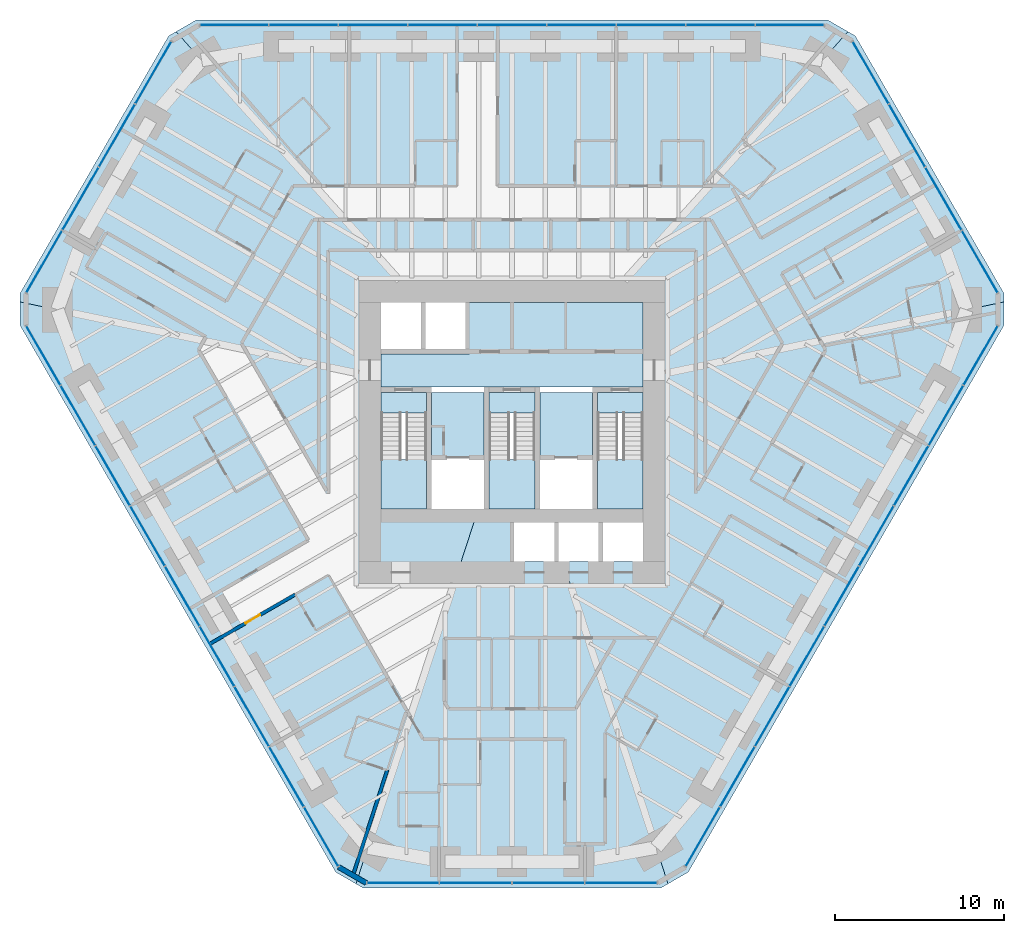
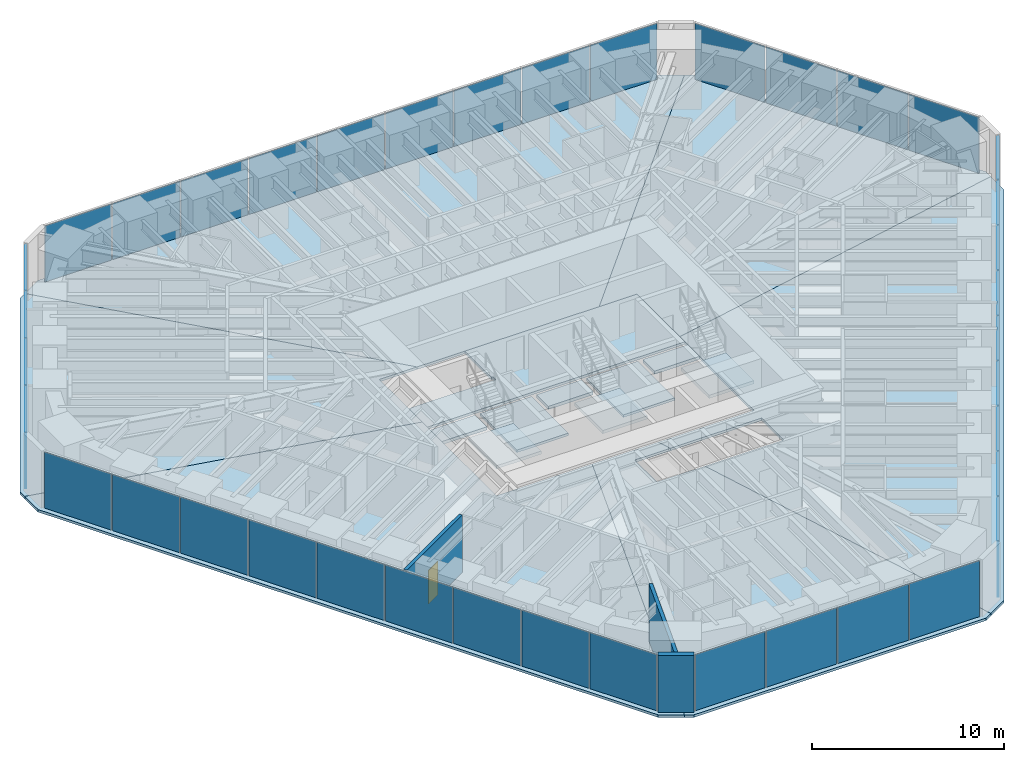
# One storey, part 10 of 17: 39 plates, 15 slabs, 3 walls, 1 door, 1 opening, 9 elements without a shape of their own.
"""IFC4 building model written with IfcOpenShell, lengths in metres."""

from ifc_helpers import new_model, si_unit, direction, frame, frame_2d, origin, origin_2d, place, context, subcontext, project, spatial, polyline, rectangle, outline, extrude, material, layer, layer_set, type_object, element, fill, aggregate, save


model = new_model("IFC4")

# Units and contexts
model_context = context("Model", 3, precision=1e-05, world=origin(), true_north=direction((0.0, 1.0)))
body_context = subcontext(model_context, "Body", "Model", "MODEL_VIEW")
ifc_project = project(units=[si_unit("LENGTHUNIT", "METRE"), si_unit("AREAUNIT", "SQUARE_METRE"), si_unit("VOLUMEUNIT", "CUBIC_METRE"), si_unit("PLANEANGLEUNIT", "RADIAN"), si_unit("MASSUNIT", "GRAM", prefix="KILO")], contexts=[model_context])

# Site, building, storey
site_placement = place(None, origin())
site = spatial("IfcSite", under=ifc_project, at=site_placement, CompositionType="ELEMENT")
building_placement = place(site_placement, origin())
building = spatial("IfcBuilding", under=site, at=building_placement, Name="Sandreach Pilgrim Tower", CompositionType="ELEMENT")
storey_placement = place(building_placement, frame((0.0, 0.0, 127.199951171875)))
storey = spatial("IfcBuildingStorey", under=building, at=storey_placement, Name="L31", CompositionType="ELEMENT", Elevation=127.199951171875)

# Curtain wall, plates
ifc_material_1 = material(Name="Aluminium framed curtain wall", Category="aluminium")
curtain_wall_type = type_object("IfcCurtainWallType", Name="Hotel tower curtain wall", PredefinedType="NOTDEFINED", material=ifc_material_1)
curtain_wall_1_placement = place(storey_placement, origin())
curtain_wall_1 = element("IfcCurtainWall", 1, at=curtain_wall_1_placement, inside=storey, type_object=curtain_wall_type, Name="CW-2 L31 N", PredefinedType="NOTDEFINED")
ifc_material_2 = material(Name="Insulating glass unit 8 heat-strengthened + 16 argon + 8 heat-strengthened", Category="glass")
ifc_layer_1 = layer(ifc_material_2, 0.031982421875)
ifc_layer_set_1 = layer_set([ifc_layer_1], Name="CW-2 panel")
plate_type = type_object("IfcPlateType", Name="CW-2 panel", PredefinedType="CURTAIN_PANEL", material=ifc_layer_set_1)
plate_1_placement = place(storey_placement, frame((-16.41162109375, 22.493896484375, 0.0), z_axis=(0.0, 0.0, 1.0), x_axis=(1.0, 0.0, 0.0)))
plate_1 = element("IfcPlate", 2, at=plate_1_placement, type_object=plate_type, Name="CW-2 panel 1", PredefinedType="CURTAIN_PANEL", context=body_context, shape_type="SweptSolid", body=[
    extrude(rectangle(XDim=4.009521484375, YDim=0.031982421875, at=origin_2d()), origin(), (0.0, 0.0, 1.0), 3.570068359375),
])
plate_2_placement = place(storey_placement, frame((-12.32080078125, 22.493896484375, 0.0), z_axis=(0.0, 0.0, 1.0), x_axis=(1.0, 0.0, 0.0)))
plate_2 = element("IfcPlate", 3, at=plate_2_placement, type_object=plate_type, Name="CW-2 panel 2", PredefinedType="CURTAIN_PANEL", context=body_context, shape_type="SweptSolid", body=[
    extrude(rectangle(XDim=4.0419921875, YDim=0.031982421875, at=origin_2d()), origin(), (0.0, 0.0, 1.0), 3.570068359375),
])
plate_3_placement = place(storey_placement, frame((-8.2138671875, 22.493896484375, 0.0), z_axis=(0.0, 0.0, 1.0), x_axis=(1.0, 0.0, 0.0)))
plate_3 = element("IfcPlate", 4, at=plate_3_placement, type_object=plate_type, Name="CW-2 panel 3", PredefinedType="CURTAIN_PANEL", context=body_context, shape_type="SweptSolid", body=[
    extrude(rectangle(XDim=4.0419921875, YDim=0.031982421875, at=origin_2d()), origin(), (0.0, 0.0, 1.0), 3.570068359375),
])
plate_4_placement = place(storey_placement, frame((-4.10693359375, 22.493896484375, 0.0), z_axis=(0.0, 0.0, 1.0), x_axis=(1.0, 0.0, 0.0)))
plate_4 = element("IfcPlate", 5, at=plate_4_placement, type_object=plate_type, Name="CW-2 panel 4", PredefinedType="CURTAIN_PANEL", context=body_context, shape_type="SweptSolid", body=[
    extrude(rectangle(XDim=4.0419921875, YDim=0.031982421875, at=origin_2d()), origin(), (0.0, 0.0, 1.0), 3.570068359375),
])
plate_5_placement = place(storey_placement, frame((0.0, 22.493896484375, 0.0), z_axis=(0.0, 0.0, 1.0), x_axis=(1.0, 0.0, 0.0)))
plate_5 = element("IfcPlate", 6, at=plate_5_placement, type_object=plate_type, Name="CW-2 panel 5", PredefinedType="CURTAIN_PANEL", context=body_context, shape_type="SweptSolid", body=[
    extrude(rectangle(XDim=4.0419921875, YDim=0.031982421875, at=origin_2d()), origin(), (0.0, 0.0, 1.0), 3.570068359375),
])
plate_6_placement = place(storey_placement, frame((4.10693359375, 22.493896484375, 0.0), z_axis=(0.0, 0.0, 1.0), x_axis=(1.0, 0.0, 0.0)))
plate_6 = element("IfcPlate", 7, at=plate_6_placement, type_object=plate_type, Name="CW-2 panel 6", PredefinedType="CURTAIN_PANEL", context=body_context, shape_type="SweptSolid", body=[
    extrude(rectangle(XDim=4.0419921875, YDim=0.031982421875, at=origin_2d()), origin(), (0.0, 0.0, 1.0), 3.570068359375),
])
plate_7_placement = place(storey_placement, frame((8.2138671875, 22.493896484375, 0.0), z_axis=(0.0, 0.0, 1.0), x_axis=(1.0, 0.0, 0.0)))
plate_7 = element("IfcPlate", 8, at=plate_7_placement, type_object=plate_type, Name="CW-2 panel 7", PredefinedType="CURTAIN_PANEL", context=body_context, shape_type="SweptSolid", body=[
    extrude(rectangle(XDim=4.0419921875, YDim=0.031982421875, at=origin_2d()), origin(), (0.0, 0.0, 1.0), 3.570068359375),
])
plate_8_placement = place(storey_placement, frame((12.32080078125, 22.493896484375, 0.0), z_axis=(0.0, 0.0, 1.0), x_axis=(1.0, 0.0, 0.0)))
plate_8 = element("IfcPlate", 9, at=plate_8_placement, type_object=plate_type, Name="CW-2 panel 8", PredefinedType="CURTAIN_PANEL", context=body_context, shape_type="SweptSolid", body=[
    extrude(rectangle(XDim=4.0419921875, YDim=0.031982421875, at=origin_2d()), origin(), (0.0, 0.0, 1.0), 3.570068359375),
])
plate_9_placement = place(storey_placement, frame((16.41162109375, 22.493896484375, 0.0), z_axis=(0.0, 0.0, 1.0), x_axis=(1.0, 0.0, 0.0)))
plate_9 = element("IfcPlate", 10, at=plate_9_placement, type_object=plate_type, Name="CW-2 panel 9", PredefinedType="CURTAIN_PANEL", context=body_context, shape_type="SweptSolid", body=[
    extrude(rectangle(XDim=4.009521484375, YDim=0.031982421875, at=origin_2d()), origin(), (0.0, 0.0, 1.0), 3.570068359375),
])
aggregate(curtain_wall_1, [plate_1, plate_2, plate_3, plate_4, plate_5, plate_6, plate_7, plate_8, plate_9])

curtain_wall_2_placement = place(storey_placement, origin())
curtain_wall_2 = element("IfcCurtainWall", 11, at=curtain_wall_2_placement, inside=storey, type_object=curtain_wall_type, Name="CW-2 L31 NE", PredefinedType="NOTDEFINED")
plate_10_placement = place(storey_placement, frame((21.194091796875, 19.67529296875, 0.0), z_axis=(0.0, 0.0, 1.0), x_axis=(0.5, -0.866025403784, 0.0)))
plate_10 = element("IfcPlate", 12, at=plate_10_placement, type_object=plate_type, Name="CW-2 panel 1", PredefinedType="CURTAIN_PANEL", context=body_context, shape_type="SweptSolid", body=[
    extrude(rectangle(XDim=4.208251953125, YDim=0.031982421875, at=origin_2d()), origin(), (0.0, 0.0, 1.0), 3.570068359375),
])
plate_11_placement = place(storey_placement, frame((23.3388671875, 15.96044921875, 0.0), z_axis=(0.0, 0.0, 1.0), x_axis=(0.5, -0.866025403784, 0.0)))
plate_11 = element("IfcPlate", 13, at=plate_11_placement, type_object=plate_type, Name="CW-2 panel 2", PredefinedType="CURTAIN_PANEL", context=body_context, shape_type="SweptSolid", body=[
    extrude(rectangle(XDim=4.24072265625, YDim=0.031982421875, at=origin_2d()), origin(), (0.0, 0.0, 1.0), 3.570068359375),
])
plate_12_placement = place(storey_placement, frame((25.49169921875, 12.231689453125, 0.0), z_axis=(0.0, 0.0, 1.0), x_axis=(0.5, -0.866025403784, 0.0)))
plate_12 = element("IfcPlate", 14, at=plate_12_placement, type_object=plate_type, Name="CW-2 panel 3", PredefinedType="CURTAIN_PANEL", context=body_context, shape_type="SweptSolid", body=[
    extrude(rectangle(XDim=4.24072265625, YDim=0.031982421875, at=origin_2d()), origin(), (0.0, 0.0, 1.0), 3.570068359375),
])
plate_13_placement = place(storey_placement, frame((27.63623046875, 8.516845703125, 0.0), z_axis=(0.0, 0.0, 1.0), x_axis=(0.5, -0.866025403784, 0.0)))
plate_13 = element("IfcPlate", 15, at=plate_13_placement, type_object=plate_type, Name="CW-2 panel 4", PredefinedType="CURTAIN_PANEL", context=body_context, shape_type="SweptSolid", body=[
    extrude(rectangle(XDim=4.208251953125, YDim=0.031982421875, at=origin_2d()), origin(), (0.0, 0.0, 1.0), 3.570068359375),
])
aggregate(curtain_wall_2, [plate_10, plate_11, plate_12, plate_13])

curtain_wall_3_placement = place(storey_placement, origin())
curtain_wall_3 = element("IfcCurtainWall", 16, at=curtain_wall_3_placement, inside=storey, type_object=curtain_wall_type, Name="CW-2 L31 SE", PredefinedType="NOTDEFINED")
plate_14_placement = place(storey_placement, frame((27.68603515625, 2.966064453125, 0.0), z_axis=(0.0, 0.0, 1.0), x_axis=(-0.5, -0.866025403784, 0.0)))
plate_14 = element("IfcPlate", 17, at=plate_14_placement, type_object=plate_type, Name="CW-2 panel 1", PredefinedType="CURTAIN_PANEL", context=body_context, shape_type="SweptSolid", body=[
    extrude(rectangle(XDim=4.009521484375, YDim=0.031982421875, at=origin_2d()), origin(), (0.0, 0.0, 1.0), 3.570068359375),
])
plate_15_placement = place(storey_placement, frame((25.640625, -0.57666015625, 0.0), z_axis=(0.0, 0.0, 1.0), x_axis=(-0.5, -0.866025403784, 0.0)))
plate_15 = element("IfcPlate", 18, at=plate_15_placement, type_object=plate_type, Name="CW-2 panel 2", PredefinedType="CURTAIN_PANEL", context=body_context, shape_type="SweptSolid", body=[
    extrude(rectangle(XDim=4.0419921875, YDim=0.031982421875, at=origin_2d()), origin(), (0.0, 0.0, 1.0), 3.570068359375),
])
plate_16_placement = place(storey_placement, frame((23.587158203125, -4.13330078125, 0.0), z_axis=(0.0, 0.0, 1.0), x_axis=(-0.5, -0.866025403784, 0.0)))
plate_16 = element("IfcPlate", 19, at=plate_16_placement, type_object=plate_type, Name="CW-2 panel 3", PredefinedType="CURTAIN_PANEL", context=body_context, shape_type="SweptSolid", body=[
    extrude(rectangle(XDim=4.0419921875, YDim=0.031982421875, at=origin_2d()), origin(), (0.0, 0.0, 1.0), 3.570068359375),
])
plate_17_placement = place(storey_placement, frame((21.53369140625, -7.690185546875, 0.0), z_axis=(0.0, 0.0, 1.0), x_axis=(-0.5, -0.866025403784, 0.0)))
plate_17 = element("IfcPlate", 20, at=plate_17_placement, type_object=plate_type, Name="CW-2 panel 4", PredefinedType="CURTAIN_PANEL", context=body_context, shape_type="SweptSolid", body=[
    extrude(rectangle(XDim=4.0419921875, YDim=0.031982421875, at=origin_2d()), origin(), (0.0, 0.0, 1.0), 3.570068359375),
])
plate_18_placement = place(storey_placement, frame((19.480224609375, -11.246826171875, 0.0), z_axis=(0.0, 0.0, 1.0), x_axis=(-0.5, -0.866025403784, 0.0)))
plate_18 = element("IfcPlate", 21, at=plate_18_placement, type_object=plate_type, Name="CW-2 panel 5", PredefinedType="CURTAIN_PANEL", context=body_context, shape_type="SweptSolid", body=[
    extrude(rectangle(XDim=4.0419921875, YDim=0.031982421875, at=origin_2d()), origin(), (0.0, 0.0, 1.0), 3.570068359375),
])
plate_19_placement = place(storey_placement, frame((17.4267578125, -14.8037109375, 0.0), z_axis=(0.0, 0.0, 1.0), x_axis=(-0.5, -0.866025403784, 0.0)))
plate_19 = element("IfcPlate", 22, at=plate_19_placement, type_object=plate_type, Name="CW-2 panel 6", PredefinedType="CURTAIN_PANEL", context=body_context, shape_type="SweptSolid", body=[
    extrude(rectangle(XDim=4.0419921875, YDim=0.031982421875, at=origin_2d()), origin(), (0.0, 0.0, 1.0), 3.570068359375),
])
plate_20_placement = place(storey_placement, frame((15.373291015625, -18.3603515625, 0.0), z_axis=(0.0, 0.0, 1.0), x_axis=(-0.5, -0.866025403784, 0.0)))
plate_20 = element("IfcPlate", 23, at=plate_20_placement, type_object=plate_type, Name="CW-2 panel 7", PredefinedType="CURTAIN_PANEL", context=body_context, shape_type="SweptSolid", body=[
    extrude(rectangle(XDim=4.0419921875, YDim=0.031982421875, at=origin_2d()), origin(), (0.0, 0.0, 1.0), 3.570068359375),
])
plate_21_placement = place(storey_placement, frame((13.31982421875, -21.917236328125, 0.0), z_axis=(0.0, 0.0, 1.0), x_axis=(-0.5, -0.866025403784, 0.0)))
plate_21 = element("IfcPlate", 24, at=plate_21_placement, type_object=plate_type, Name="CW-2 panel 8", PredefinedType="CURTAIN_PANEL", context=body_context, shape_type="SweptSolid", body=[
    extrude(rectangle(XDim=4.0419921875, YDim=0.031982421875, at=origin_2d()), origin(), (0.0, 0.0, 1.0), 3.570068359375),
])
plate_22_placement = place(storey_placement, frame((11.2744140625, -25.459716796875, 0.0), z_axis=(0.0, 0.0, 1.0), x_axis=(-0.5, -0.866025403784, 0.0)))
plate_22 = element("IfcPlate", 25, at=plate_22_placement, type_object=plate_type, Name="CW-2 panel 9", PredefinedType="CURTAIN_PANEL", context=body_context, shape_type="SweptSolid", body=[
    extrude(rectangle(XDim=4.009521484375, YDim=0.031982421875, at=origin_2d()), origin(), (0.0, 0.0, 1.0), 3.570068359375),
])
aggregate(curtain_wall_3, [plate_14, plate_15, plate_16, plate_17, plate_18, plate_19, plate_20, plate_21, plate_22])

curtain_wall_4_placement = place(storey_placement, origin())
curtain_wall_4 = element("IfcCurtainWall", 26, at=curtain_wall_4_placement, inside=storey, type_object=curtain_wall_type, Name="CW-2 L31 S", PredefinedType="NOTDEFINED")
plate_23_placement = place(storey_placement, frame((6.4423828125, -28.192138671875, 0.0), z_axis=(0.0, 0.0, 1.0), x_axis=(-1.0, 0.0, 0.0)))
plate_23 = element("IfcPlate", 27, at=plate_23_placement, type_object=plate_type, Name="CW-2 panel 1", PredefinedType="CURTAIN_PANEL", context=body_context, shape_type="SweptSolid", body=[
    extrude(rectangle(XDim=4.208251953125, YDim=0.031982421875, at=origin_2d()), origin(), (0.0, 0.0, 1.0), 3.570068359375),
])
plate_24_placement = place(storey_placement, frame((2.15283203125, -28.192138671875, 0.0), z_axis=(0.0, 0.0, 1.0), x_axis=(-1.0, 0.0, 0.0)))
plate_24 = element("IfcPlate", 28, at=plate_24_placement, type_object=plate_type, Name="CW-2 panel 2", PredefinedType="CURTAIN_PANEL", context=body_context, shape_type="SweptSolid", body=[
    extrude(rectangle(XDim=4.24072265625, YDim=0.031982421875, at=origin_2d()), origin(), (0.0, 0.0, 1.0), 3.570068359375),
])
plate_25_placement = place(storey_placement, frame((-2.15283203125, -28.192138671875, 0.0), z_axis=(0.0, 0.0, 1.0), x_axis=(-1.0, 0.0, 0.0)))
plate_25 = element("IfcPlate", 29, at=plate_25_placement, type_object=plate_type, Name="CW-2 panel 3", PredefinedType="CURTAIN_PANEL", context=body_context, shape_type="SweptSolid", body=[
    extrude(rectangle(XDim=4.24072265625, YDim=0.031982421875, at=origin_2d()), origin(), (0.0, 0.0, 1.0), 3.570068359375),
])
plate_26_placement = place(storey_placement, frame((-6.4423828125, -28.192138671875, 0.0), z_axis=(0.0, 0.0, 1.0), x_axis=(-1.0, 0.0, 0.0)))
plate_26 = element("IfcPlate", 30, at=plate_26_placement, type_object=plate_type, Name="CW-2 panel 4", PredefinedType="CURTAIN_PANEL", context=body_context, shape_type="SweptSolid", body=[
    extrude(rectangle(XDim=4.208251953125, YDim=0.031982421875, at=origin_2d()), origin(), (0.0, 0.0, 1.0), 3.570068359375),
])
aggregate(curtain_wall_4, [plate_23, plate_24, plate_25, plate_26])

curtain_wall_5_placement = place(storey_placement, origin())
curtain_wall_5 = element("IfcCurtainWall", 31, at=curtain_wall_5_placement, inside=storey, type_object=curtain_wall_type, Name="CW-2 L31 SW", PredefinedType="NOTDEFINED")
plate_27_placement = place(storey_placement, frame((-11.2744140625, -25.459716796875, 0.0), z_axis=(0.0, 0.0, 1.0), x_axis=(-0.5, 0.866025403784, 0.0)))
plate_27 = element("IfcPlate", 32, at=plate_27_placement, type_object=plate_type, Name="CW-2 panel 1", PredefinedType="CURTAIN_PANEL", context=body_context, shape_type="SweptSolid", body=[
    extrude(rectangle(XDim=4.009521484375, YDim=0.031982421875, at=origin_2d()), origin(), (0.0, 0.0, 1.0), 3.570068359375),
])
plate_28_placement = place(storey_placement, frame((-13.31982421875, -21.917236328125, 0.0), z_axis=(0.0, 0.0, 1.0), x_axis=(-0.5, 0.866025403784, 0.0)))
plate_28 = element("IfcPlate", 33, at=plate_28_placement, type_object=plate_type, Name="CW-2 panel 2", PredefinedType="CURTAIN_PANEL", context=body_context, shape_type="SweptSolid", body=[
    extrude(rectangle(XDim=4.0419921875, YDim=0.031982421875, at=origin_2d()), origin(), (0.0, 0.0, 1.0), 3.570068359375),
])
plate_29_placement = place(storey_placement, frame((-15.373291015625, -18.3603515625, 0.0), z_axis=(0.0, 0.0, 1.0), x_axis=(-0.5, 0.866025403784, 0.0)))
plate_29 = element("IfcPlate", 34, at=plate_29_placement, type_object=plate_type, Name="CW-2 panel 3", PredefinedType="CURTAIN_PANEL", context=body_context, shape_type="SweptSolid", body=[
    extrude(rectangle(XDim=4.0419921875, YDim=0.031982421875, at=origin_2d()), origin(), (0.0, 0.0, 1.0), 3.570068359375),
])
plate_30_placement = place(storey_placement, frame((-17.4267578125, -14.8037109375, 0.0), z_axis=(0.0, 0.0, 1.0), x_axis=(-0.5, 0.866025403784, 0.0)))
plate_30 = element("IfcPlate", 35, at=plate_30_placement, type_object=plate_type, Name="CW-2 panel 4", PredefinedType="CURTAIN_PANEL", context=body_context, shape_type="SweptSolid", body=[
    extrude(rectangle(XDim=4.0419921875, YDim=0.031982421875, at=origin_2d()), origin(), (0.0, 0.0, 1.0), 3.570068359375),
])
plate_31_placement = place(storey_placement, frame((-19.480224609375, -11.246826171875, 0.0), z_axis=(0.0, 0.0, 1.0), x_axis=(-0.5, 0.866025403784, 0.0)))
plate_31 = element("IfcPlate", 36, at=plate_31_placement, type_object=plate_type, Name="CW-2 panel 5", PredefinedType="CURTAIN_PANEL", context=body_context, shape_type="SweptSolid", body=[
    extrude(rectangle(XDim=4.0419921875, YDim=0.031982421875, at=origin_2d()), origin(), (0.0, 0.0, 1.0), 3.570068359375),
])
plate_32_placement = place(storey_placement, frame((-21.53369140625, -7.690185546875, 0.0), z_axis=(0.0, 0.0, 1.0), x_axis=(-0.5, 0.866025403784, 0.0)))
plate_32 = element("IfcPlate", 37, at=plate_32_placement, type_object=plate_type, Name="CW-2 panel 6", PredefinedType="CURTAIN_PANEL", context=body_context, shape_type="SweptSolid", body=[
    extrude(rectangle(XDim=4.0419921875, YDim=0.031982421875, at=origin_2d()), origin(), (0.0, 0.0, 1.0), 3.570068359375),
])
plate_33_placement = place(storey_placement, frame((-23.587158203125, -4.13330078125, 0.0), z_axis=(0.0, 0.0, 1.0), x_axis=(-0.5, 0.866025403784, 0.0)))
plate_33 = element("IfcPlate", 38, at=plate_33_placement, type_object=plate_type, Name="CW-2 panel 7", PredefinedType="CURTAIN_PANEL", context=body_context, shape_type="SweptSolid", body=[
    extrude(rectangle(XDim=4.0419921875, YDim=0.031982421875, at=origin_2d()), origin(), (0.0, 0.0, 1.0), 3.570068359375),
])
plate_34_placement = place(storey_placement, frame((-25.640625, -0.57666015625, 0.0), z_axis=(0.0, 0.0, 1.0), x_axis=(-0.5, 0.866025403784, 0.0)))
plate_34 = element("IfcPlate", 39, at=plate_34_placement, type_object=plate_type, Name="CW-2 panel 8", PredefinedType="CURTAIN_PANEL", context=body_context, shape_type="SweptSolid", body=[
    extrude(rectangle(XDim=4.0419921875, YDim=0.031982421875, at=origin_2d()), origin(), (0.0, 0.0, 1.0), 3.570068359375),
])
plate_35_placement = place(storey_placement, frame((-27.68603515625, 2.966064453125, 0.0), z_axis=(0.0, 0.0, 1.0), x_axis=(-0.5, 0.866025403784, 0.0)))
plate_35 = element("IfcPlate", 40, at=plate_35_placement, type_object=plate_type, Name="CW-2 panel 9", PredefinedType="CURTAIN_PANEL", context=body_context, shape_type="SweptSolid", body=[
    extrude(rectangle(XDim=4.009521484375, YDim=0.031982421875, at=origin_2d()), origin(), (0.0, 0.0, 1.0), 3.570068359375),
])
aggregate(curtain_wall_5, [plate_27, plate_28, plate_29, plate_30, plate_31, plate_32, plate_33, plate_34, plate_35])

curtain_wall_6_placement = place(storey_placement, origin())
curtain_wall_6 = element("IfcCurtainWall", 41, at=curtain_wall_6_placement, inside=storey, type_object=curtain_wall_type, Name="CW-2 L31 NW", PredefinedType="NOTDEFINED")
plate_36_placement = place(storey_placement, frame((-27.63623046875, 8.516845703125, 0.0), z_axis=(0.0, 0.0, 1.0), x_axis=(0.5, 0.866025403784, 0.0)))
plate_36 = element("IfcPlate", 42, at=plate_36_placement, type_object=plate_type, Name="CW-2 panel 1", PredefinedType="CURTAIN_PANEL", context=body_context, shape_type="SweptSolid", body=[
    extrude(rectangle(XDim=4.208251953125, YDim=0.031982421875, at=origin_2d()), origin(), (0.0, 0.0, 1.0), 3.570068359375),
])
plate_37_placement = place(storey_placement, frame((-25.49169921875, 12.231689453125, 0.0), z_axis=(0.0, 0.0, 1.0), x_axis=(0.5, 0.866025403784, 0.0)))
plate_37 = element("IfcPlate", 43, at=plate_37_placement, type_object=plate_type, Name="CW-2 panel 2", PredefinedType="CURTAIN_PANEL", context=body_context, shape_type="SweptSolid", body=[
    extrude(rectangle(XDim=4.24072265625, YDim=0.031982421875, at=origin_2d()), origin(), (0.0, 0.0, 1.0), 3.570068359375),
])
plate_38_placement = place(storey_placement, frame((-23.3388671875, 15.96044921875, 0.0), z_axis=(0.0, 0.0, 1.0), x_axis=(0.5, 0.866025403784, 0.0)))
plate_38 = element("IfcPlate", 44, at=plate_38_placement, type_object=plate_type, Name="CW-2 panel 3", PredefinedType="CURTAIN_PANEL", context=body_context, shape_type="SweptSolid", body=[
    extrude(rectangle(XDim=4.24072265625, YDim=0.031982421875, at=origin_2d()), origin(), (0.0, 0.0, 1.0), 3.570068359375),
])
plate_39_placement = place(storey_placement, frame((-21.194091796875, 19.67529296875, 0.0), z_axis=(0.0, 0.0, 1.0), x_axis=(0.5, 0.866025403784, 0.0)))
plate_39 = element("IfcPlate", 45, at=plate_39_placement, type_object=plate_type, Name="CW-2 panel 4", PredefinedType="CURTAIN_PANEL", context=body_context, shape_type="SweptSolid", body=[
    extrude(rectangle(XDim=4.208251953125, YDim=0.031982421875, at=origin_2d()), origin(), (0.0, 0.0, 1.0), 3.570068359375),
])
aggregate(curtain_wall_6, [plate_36, plate_37, plate_38, plate_39])

# Slabs
ifc_material_3 = material(Name="Concrete 8000 psi", Category="concrete")
ifc_layer_2 = layer(ifc_material_3, 0.159912109375)
ifc_layer_set_2 = layer_set([ifc_layer_2], Name="Composite floor slab 160")
slab_type_1 = type_object("IfcSlabType", Name="Composite floor slab 160", PredefinedType="FLOOR", material=ifc_layer_set_2)
slab_1_placement = place(storey_placement, frame((0.0, 0.0, -0.159912109375)))
element("IfcSlab", 46, at=slab_1_placement, inside=storey, type_object=slab_type_1, Name="Floor slab L31 N sector", PredefinedType="FLOOR", context=body_context, shape_type="SweptSolid", body=[
    extrude(outline(polyline([(-18.654541015625, 22.793701171875), (18.654541015625, 22.793701171875), (19.848388671875, 22.1044921875), (5.477294921875, 6.10009765625), (-5.477294921875, 6.10009765625), (-19.848388671875, 22.1044921875), (-18.654541015625, 22.793701171875)])), origin(), (0.0, 0.0, 1.0), 0.159912109375),
])
slab_2_placement = place(storey_placement, frame((0.0, 0.0, -0.159912109375)))
element("IfcSlab", 47, at=slab_2_placement, inside=storey, type_object=slab_type_1, Name="Floor slab L31 NE sector", PredefinedType="FLOOR", context=body_context, shape_type="SweptSolid", body=[
    extrude(outline(polyline([(20.28271484375, 21.853759765625), (29.0673828125, 6.638427734375), (29.0673828125, 6.13720703125), (7.75, 1.63623046875), (7.75, 6.10009765625), (5.477294921875, 6.10009765625), (19.848388671875, 22.1044921875), (20.28271484375, 21.853759765625)])), origin(), (0.0, 0.0, 1.0), 0.159912109375),
])
slab_3_placement = place(storey_placement, frame((0.0, 0.0, -0.159912109375)))
element("IfcSlab", 48, at=slab_3_placement, inside=storey, type_object=slab_type_1, Name="Floor slab L31 SE sector", PredefinedType="FLOOR", context=body_context, shape_type="SweptSolid", body=[
    extrude(outline(polyline([(29.0673828125, 4.75830078125), (10.41259765625, -27.55224609375), (9.21875, -28.241455078125), (3.003173828125, -9.199951171875), (7.75, -9.199951171875), (7.75, -6.89990234375), (2.252197265625, -6.89990234375), (1.9912109375, -6.10009765625), (7.75, -6.10009765625), (7.75, 1.63623046875), (29.0673828125, 6.13720703125), (29.0673828125, 4.75830078125)])), origin(), (0.0, 0.0, 1.0), 0.159912109375),
])
slab_4_placement = place(storey_placement, frame((0.0, 0.0, -0.159912109375)))
element("IfcSlab", 49, at=slab_4_placement, inside=storey, type_object=slab_type_1, Name="Floor slab L31 S sector", PredefinedType="FLOOR", context=body_context, shape_type="SweptSolid", body=[
    extrude(outline(polyline([(8.78466796875, -28.4921875), (-8.78466796875, -28.4921875), (-9.21875, -28.241455078125), (-1.9912109375, -6.10009765625), (1.9912109375, -6.10009765625), (2.252197265625, -6.89990234375), (0.125, -6.89990234375), (0.125, -9.199951171875), (3.003173828125, -9.199951171875), (9.21875, -28.241455078125), (8.78466796875, -28.4921875)])), origin(), (0.0, 0.0, 1.0), 0.159912109375),
])
slab_5_placement = place(storey_placement, frame((0.0, 0.0, -0.159912109375)))
element("IfcSlab", 50, at=slab_5_placement, inside=storey, type_object=slab_type_1, Name="Floor slab L31 SW sector", PredefinedType="FLOOR", context=body_context, shape_type="SweptSolid", body=[
    extrude(outline(polyline([(-10.41259765625, -27.55224609375), (-29.0673828125, 4.75830078125), (-29.0673828125, 6.13720703125), (-7.75, 1.63623046875), (-7.75, -6.10009765625), (-1.9912109375, -6.10009765625), (-9.21875, -28.241455078125), (-10.41259765625, -27.55224609375)])), origin(), (0.0, 0.0, 1.0), 0.159912109375),
])
slab_6_placement = place(storey_placement, frame((0.0, 0.0, -0.159912109375)))
element("IfcSlab", 51, at=slab_6_placement, inside=storey, type_object=slab_type_1, Name="Floor slab L31 NW sector", PredefinedType="FLOOR", context=body_context, shape_type="SweptSolid", body=[
    extrude(outline(polyline([(-29.0673828125, 6.638427734375), (-20.28271484375, 21.853759765625), (-19.848388671875, 22.1044921875), (-5.477294921875, 6.10009765625), (-7.75, 6.10009765625), (-7.75, 1.63623046875), (-29.0673828125, 6.13720703125), (-29.0673828125, 6.638427734375)])), origin(), (0.0, 0.0, 1.0), 0.159912109375),
])
slab_7_placement = place(storey_placement, frame((0.0, 0.0, -0.159912109375)))
element("IfcSlab", 52, at=slab_7_placement, inside=storey, type_object=slab_type_1, Name="Core floor slab and stores L31", PredefinedType="FLOOR", context=body_context, shape_type="SweptSolid", body=[
    extrude(outline(polyline([(-7.75, 3.050048828125), (-5.375, 3.050048828125), (-5.125, 3.050048828125), (-2.5, 3.050048828125), (-2.5, 3.35009765625), (-2.60009765625, 3.35009765625), (-2.60009765625, 6.10009765625), (7.75, 6.10009765625), (7.75, 1.10009765625), (5.050048828125, 1.10009765625), (4.75, 1.10009765625), (1.64990234375, 1.10009765625), (1.35009765625, 1.10009765625), (-1.35009765625, 1.10009765625), (-1.64990234375, 1.10009765625), (-4.75, 1.10009765625), (-5.050048828125, 1.10009765625), (-7.75, 1.10009765625), (-7.75, 3.050048828125)])), origin(), (0.0, 0.0, 1.0), 0.159912109375),
])
slab_8_placement = place(storey_placement, frame((0.0, 0.0, -0.159912109375)))
element("IfcSlab", 53, at=slab_8_placement, inside=storey, type_object=slab_type_1, Name="Core floor slab and stores L31 2", PredefinedType="FLOOR", context=body_context, shape_type="SweptSolid", body=[
    extrude(outline(polyline([(-1.64990234375, -3.050048828125), (-4.75, -3.050048828125), (-4.75, 0.800048828125), (-1.64990234375, 0.800048828125), (-1.64990234375, -3.050048828125)])), origin(), (0.0, 0.0, 1.0), 0.159912109375),
])
slab_9_placement = place(storey_placement, frame((0.0, 0.0, -0.159912109375)))
element("IfcSlab", 54, at=slab_9_placement, inside=storey, type_object=slab_type_1, Name="Core floor slab and stores L31 3", PredefinedType="FLOOR", context=body_context, shape_type="SweptSolid", body=[
    extrude(outline(polyline([(4.75, -3.050048828125), (1.64990234375, -3.050048828125), (1.64990234375, 0.800048828125), (4.75, 0.800048828125), (4.75, -3.050048828125)])), origin(), (0.0, 0.0, 1.0), 0.159912109375),
])

# Stair, slabs
ifc_material_4 = material(Name="Concrete 8000 psi", Category="concrete")
stair_type = type_object("IfcStairType", Name="Core exit stair", PredefinedType="HALF_TURN_STAIR", material=ifc_material_4)
stair_1_placement = place(storey_placement, origin())
stair_1 = element("IfcStair", 55, at=stair_1_placement, inside=storey, type_object=stair_type, Name="Exit stair ST1 L31", PredefinedType="HALF_TURN_STAIR")
ifc_material_5 = material(Name="Concrete 8000 psi", Category="concrete")
ifc_layer_3 = layer(ifc_material_5, 0.199951171875)
ifc_layer_set_3 = layer_set([ifc_layer_3], Name="Core stair landing 200")
slab_type_2 = type_object("IfcSlabType", Name="Core stair landing 200", PredefinedType="LANDING", material=ifc_layer_set_3)
slab_10_placement = place(storey_placement, frame((0.0, 0.0, -0.199951171875)))
slab_10 = element("IfcSlab", 56, at=slab_10_placement, type_object=slab_type_2, Name="ST1 landing 1", PredefinedType="LANDING", context=body_context, shape_type="SweptSolid", body=[
    extrude(outline(polyline([(-7.75, -0.425048828125), (-5.050048828125, -0.425048828125), (-5.050048828125, 0.800048828125), (-7.75, 0.800048828125), (-7.75, -0.425048828125)])), origin(), (0.0, 0.0, 1.0), 0.199951171875),
])
slab_11_placement = place(storey_placement, frame((0.0, 0.0, 1.699951171875)))
slab_11 = element("IfcSlab", 57, at=slab_11_placement, type_object=slab_type_2, Name="ST1 landing 2", PredefinedType="LANDING", context=body_context, shape_type="SweptSolid", body=[
    extrude(outline(polyline([(-7.75, -6.10009765625), (-5.050048828125, -6.10009765625), (-5.050048828125, -3.175048828125), (-7.75, -3.175048828125), (-7.75, -6.10009765625)])), origin(), (0.0, 0.0, 1.0), 0.2001953125),
])
aggregate(stair_1, [slab_10, slab_11])

stair_2_placement = place(storey_placement, origin())
stair_2 = element("IfcStair", 58, at=stair_2_placement, inside=storey, type_object=stair_type, Name="Exit stair ST3 L31", PredefinedType="HALF_TURN_STAIR")
slab_12_placement = place(storey_placement, frame((0.0, 0.0, -0.199951171875)))
slab_12 = element("IfcSlab", 59, at=slab_12_placement, type_object=slab_type_2, Name="ST3 landing 1", PredefinedType="LANDING", context=body_context, shape_type="SweptSolid", body=[
    extrude(outline(polyline([(-1.35009765625, -0.425048828125), (1.35009765625, -0.425048828125), (1.35009765625, 0.800048828125), (-1.35009765625, 0.800048828125), (-1.35009765625, -0.425048828125)])), origin(), (0.0, 0.0, 1.0), 0.199951171875),
])
slab_13_placement = place(storey_placement, frame((0.0, 0.0, 1.699951171875)))
slab_13 = element("IfcSlab", 60, at=slab_13_placement, type_object=slab_type_2, Name="ST3 landing 2", PredefinedType="LANDING", context=body_context, shape_type="SweptSolid", body=[
    extrude(outline(polyline([(-1.35009765625, -6.10009765625), (1.35009765625, -6.10009765625), (1.35009765625, -3.175048828125), (-1.35009765625, -3.175048828125), (-1.35009765625, -6.10009765625)])), origin(), (0.0, 0.0, 1.0), 0.2001953125),
])
aggregate(stair_2, [slab_12, slab_13])

stair_3_placement = place(storey_placement, origin())
stair_3 = element("IfcStair", 61, at=stair_3_placement, inside=storey, type_object=stair_type, Name="Exit stair ST2 L31", PredefinedType="HALF_TURN_STAIR")
slab_14_placement = place(storey_placement, frame((0.0, 0.0, -0.199951171875)))
slab_14 = element("IfcSlab", 62, at=slab_14_placement, type_object=slab_type_2, Name="ST2 landing 1", PredefinedType="LANDING", context=body_context, shape_type="SweptSolid", body=[
    extrude(outline(polyline([(5.050048828125, -0.425048828125), (7.75, -0.425048828125), (7.75, 0.800048828125), (5.050048828125, 0.800048828125), (5.050048828125, -0.425048828125)])), origin(), (0.0, 0.0, 1.0), 0.199951171875),
])
slab_15_placement = place(storey_placement, frame((0.0, 0.0, 1.699951171875)))
slab_15 = element("IfcSlab", 63, at=slab_15_placement, type_object=slab_type_2, Name="ST2 landing 2", PredefinedType="LANDING", context=body_context, shape_type="SweptSolid", body=[
    extrude(outline(polyline([(5.050048828125, -6.10009765625), (7.75, -6.10009765625), (7.75, -3.175048828125), (5.050048828125, -3.175048828125), (5.050048828125, -6.10009765625)])), origin(), (0.0, 0.0, 1.0), 0.2001953125),
])
aggregate(stair_3, [slab_14, slab_15])

# Wall, opening, door
ifc_material_6 = material(Name="Gypsum board on steel studs, two layers each side", Category="steel")
ifc_layer_4 = layer(ifc_material_6, 0.199951171875)
ifc_layer_set_4 = layer_set([ifc_layer_4], Name="Corridor wall 200")
wall_type_1 = type_object("IfcWallType", Name="Corridor wall 200", PredefinedType="PARTITIONING", material=ifc_layer_set_4)
wall_1_placement = place(storey_placement, frame((-17.823974609375, -14.044921875, 0.0), z_axis=(0.0, 0.0, 1.0), x_axis=(0.866007919525, 0.500030282404, 0.0)))
wall_1 = element("IfcWall", 64, at=wall_1_placement, inside=storey, type_object=wall_type_1, Name="Corridor wall L31-010", PredefinedType="PARTITIONING", context=body_context, shape_type="SweptSolid", body=[
    extrude(rectangle(XDim=5.789794921875, YDim=0.199951171875, at=frame_2d((2.89501953125, 0.0))), origin(), (0.0, 0.0, 1.0), 3.64013671875),
])
opening_placement = place(wall_1_placement, frame((2.39501953125, 0.0, 0.0)))
opening = element("IfcOpeningElement", 65, at=opening_placement, cuts=wall_1, Name="Opening D10-15", PredefinedType="OPENING", context=body_context, shape_type="SweptSolid", body=[
    extrude(rectangle(XDim=1.0, YDim=2.1298828125, at=frame_2d((0.5, 1.06494140625))), frame((0.0, 0.10009765625, 0.0), z_axis=(0.0, -1.0, 0.0), x_axis=(1.0, 0.0, 0.0)), (0.0, 0.0, 1.0), 0.199951171875),
])
ifc_material_7 = material(Name="Steel door and frame", Category="steel")
door_type = type_object("IfcDoorType", Name="Guest room entry door", OperationType="SINGLE_SWING_LEFT", PredefinedType="DOOR", material=ifc_material_7)
door_placement = place(opening_placement, origin())
door = element("IfcDoor", 66, at=door_placement, inside=storey, type_object=door_type, Name="Door 3115", OperationType="SINGLE_SWING_LEFT", OverallHeight=2.1298828125, OverallWidth=1.0, PredefinedType="DOOR", context=body_context, shape_type="SweptSolid", body=[
    extrude(rectangle(XDim=1.0, YDim=2.1298828125, at=frame_2d((0.5, 1.06494140625))), frame((0.0, 0.02490234375, 0.0), z_axis=(0.0, -1.0, 0.0), x_axis=(1.0, 0.0, 0.0)), (0.0, 0.0, 1.0), 0.050048828125),
])
fill(opening, door)

# Walls
ifc_material_8 = material(Name="Double steel stud acoustic wall, gypsum board", Category="steel")
ifc_layer_5 = layer(ifc_material_8, 0.199951171875)
ifc_layer_set_5 = layer_set([ifc_layer_5], Name="Party wall 200")
wall_type_2 = type_object("IfcWallType", Name="Party wall 200", PredefinedType="PARTITIONING", material=ifc_layer_set_5)
wall_2_placement = place(storey_placement, frame((-7.3701171875, -21.530029296875, 0.0), z_axis=(0.0, 0.0, 1.0), x_axis=(-0.309817104215, -0.950796172655, 0.0)))
element("IfcWall", 67, at=wall_2_placement, inside=storey, type_object=wall_type_2, Name="Party wall L31-056", PredefinedType="PARTITIONING", context=body_context, shape_type="SweptSolid", body=[
    extrude(rectangle(XDim=6.553955078125, YDim=0.199951171875, at=frame_2d((3.27685546875, 0.0))), origin(), (0.0, 0.0, 1.0), 3.64013671875),
])
ifc_material_9 = material(Name="Terracotta rainscreen on concrete", Category="masonry")
ifc_layer_6 = layer(ifc_material_9, 0.300048828125)
ifc_layer_set_6 = layer_set([ifc_layer_6], Name="Terracotta chamfer pier")
wall_type_3 = type_object("IfcWallType", Name="Terracotta chamfer pier", PredefinedType="SOLIDWALL", material=ifc_layer_set_6)
wall_3_placement = place(storey_placement, frame((-8.611328125, -28.192138671875, 0.0), z_axis=(0.0, 0.0, 1.0), x_axis=(-0.866045024864, 0.499966013754, 0.0)))
element("IfcWall", 68, at=wall_3_placement, inside=storey, type_object=wall_type_3, Name="Chamfer pier L31 S", PredefinedType="SOLIDWALL", context=body_context, shape_type="SweptSolid", body=[
    extrude(rectangle(XDim=1.880126953125, YDim=0.300048828125, at=frame_2d((0.93994140625, 0.0))), origin(), (0.0, 0.0, 1.0), 3.64013671875),
])

save(model, "model.ifc")
